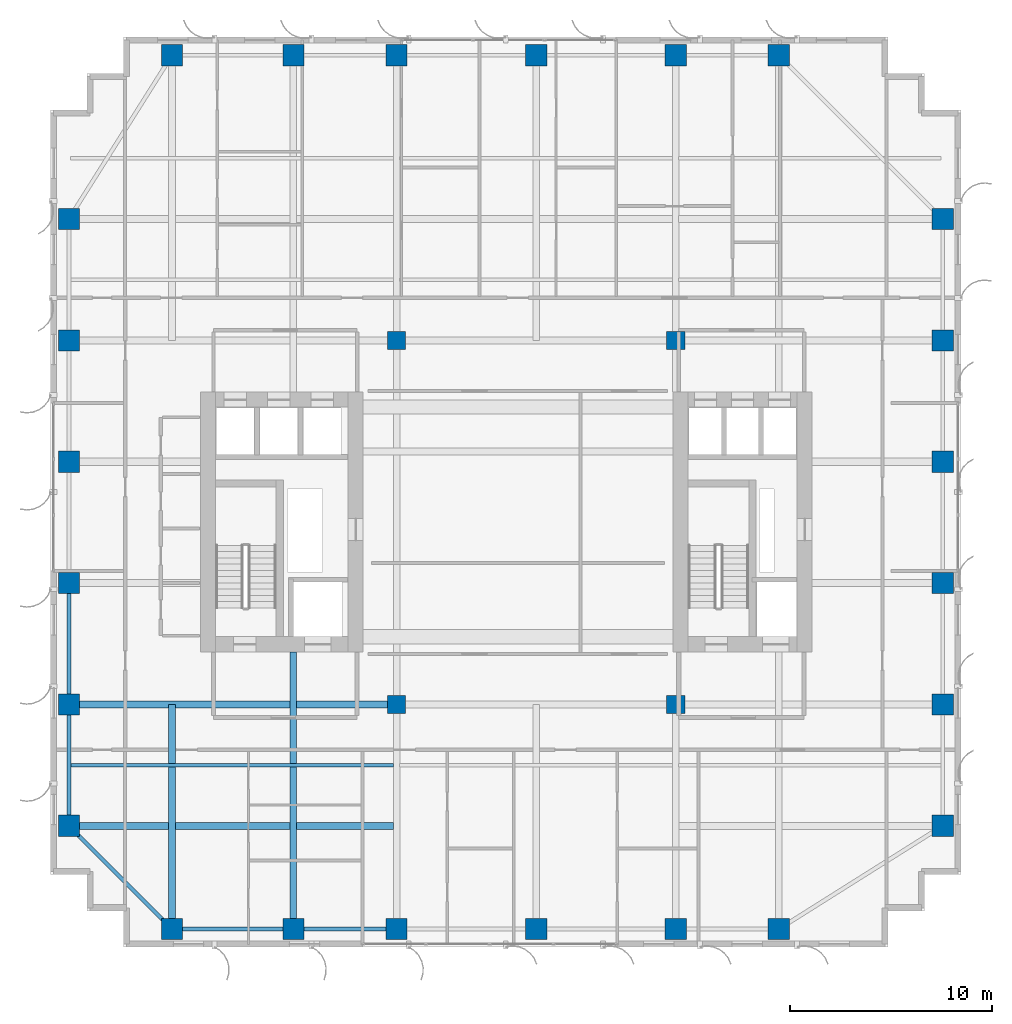
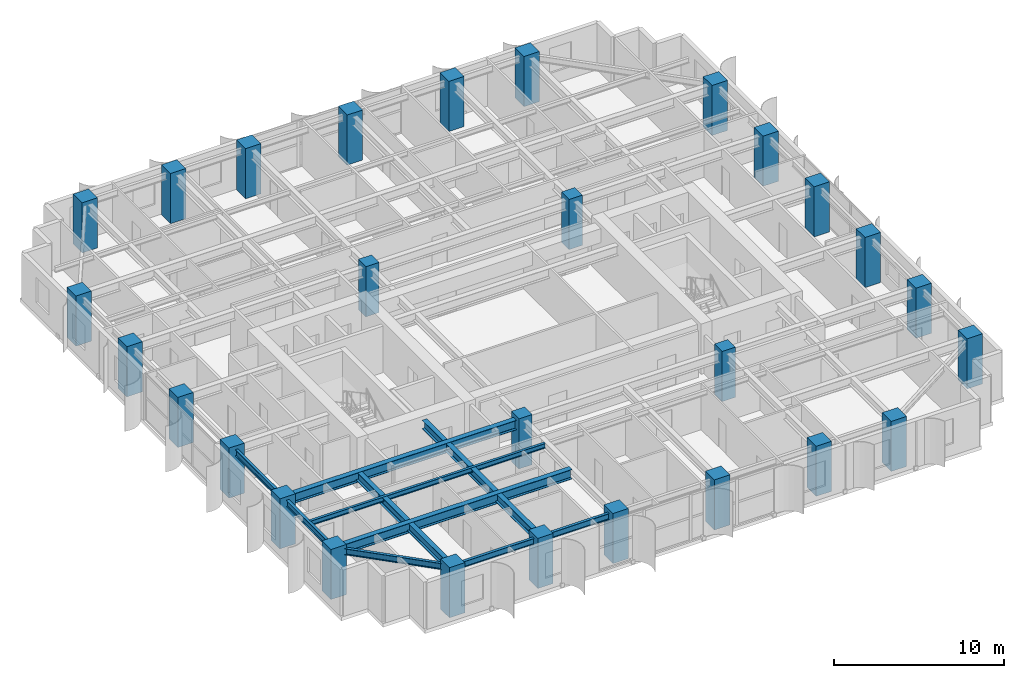
# One storey, part 1 of 19: 28 columns, 10 beams.
"""IFC4 building model written with IfcOpenShell, lengths in metres."""

from ifc_helpers import new_model, si_unit, direction, frame, origin, origin_2d, place, context, subcontext, project, spatial, rectangle, i_section, extrude, source, transform, mapped, material, material_profile, profile_set, type_object, element, save


model = new_model("IFC4")

# Units and contexts
model_context = context("Model", 3, precision=1e-05, world=origin(), true_north=direction((0.0, 1.0)))
body_context = subcontext(model_context, "Body", "Model", "MODEL_VIEW")
ifc_project = project(units=[si_unit("LENGTHUNIT", "METRE"), si_unit("AREAUNIT", "SQUARE_METRE"), si_unit("VOLUMEUNIT", "CUBIC_METRE"), si_unit("PLANEANGLEUNIT", "RADIAN"), si_unit("MASSUNIT", "GRAM", prefix="KILO")], contexts=[model_context])

# Site, building, storey
site_placement = place(None, origin())
site = spatial("IfcSite", under=ifc_project, at=site_placement, CompositionType="ELEMENT")
building_placement = place(site_placement, origin())
building = spatial("IfcBuilding", under=site, at=building_placement, Name="Khoralis Quay Care Tower", CompositionType="ELEMENT")
storey_placement = place(building_placement, frame((0.0, 0.0, 90.89990234375)))
storey = spatial("IfcBuildingStorey", under=building, at=storey_placement, Name="L23", CompositionType="ELEMENT", Elevation=90.89990234375)

# Columns
ifc_material_1 = material(Name="Concrete C65/80", Category="concrete")
ifc_material_profile_1 = material_profile(ifc_material_1, rectangle(XDim=1.050048828125, YDim=1.050048828125, at=origin_2d()), Name="Concrete C65/80")
ifc_profile_set_1 = profile_set([ifc_material_profile_1], Name="Concrete C65/80")
column_type_1 = type_object("IfcColumnType", Name="COL-C1050", PredefinedType="COLUMN", material=ifc_profile_set_1)
shared_shape_1 = source(origin(), body_context, "Body", "SweptSolid", [
    extrude(rectangle(XDim=1.050048828125, YDim=1.050048828125, at=origin_2d()), origin(), (0.0, 0.0, 1.0), 3.60009765625),
])
for number, where, z_axis, x_axis, name in (
    (1, (6.0, 0.89990234375, 0.0), (0.0, 0.0, 1.0), (1.0, 0.0, 0.0), "COL-TWR-L23-01"),
    (2, (6.0, 44.10009765625, 0.0), (0.0, 0.0, 1.0), (1.0, 0.0, 0.0), "COL-TWR-L23-02"),
    (3, (12.0, 0.89990234375, 0.0), (0.0, 0.0, 1.0), (1.0, 0.0, 0.0), "COL-TWR-L23-03"),
    (4, (12.0, 44.10009765625, 0.0), (0.0, 0.0, 1.0), (1.0, 0.0, 0.0), "COL-TWR-L23-04"),
    (5, (17.10009765625, 0.89990234375, 0.0), (0.0, 0.0, 1.0), (1.0, 0.0, 0.0), "COL-TWR-L23-05"),
    (6, (17.10009765625, 44.10009765625, 0.0), (0.0, 0.0, 1.0), (1.0, 0.0, 0.0), "COL-TWR-L23-06"),
    (7, (24.0, 0.89990234375, 0.0), (0.0, 0.0, 1.0), (1.0, 0.0, 0.0), "COL-TWR-L23-07"),
    (8, (24.0, 44.10009765625, 0.0), (0.0, 0.0, 1.0), (1.0, 0.0, 0.0), "COL-TWR-L23-08"),
    (9, (30.89990234375, 0.89990234375, 0.0), (0.0, 0.0, 1.0), (1.0, 0.0, 0.0), "COL-TWR-L23-09"),
    (10, (30.89990234375, 44.10009765625, 0.0), (0.0, 0.0, 1.0), (1.0, 0.0, 0.0), "COL-TWR-L23-10"),
    (11, (36.0, 0.89990234375, 0.0), (0.0, 0.0, 1.0), (1.0, 0.0, 0.0), "COL-TWR-L23-11"),
    (12, (36.0, 44.10009765625, 0.0), (0.0, 0.0, 1.0), (1.0, 0.0, 0.0), "COL-TWR-L23-12"),
    (13, (0.89990234375, 6.0, 0.0), (0.0, 0.0, 1.0), (1.0, 0.0, 0.0), "COL-TWR-L23-13"),
    (14, (44.10009765625, 6.0, 0.0), (0.0, 0.0, 1.0), (1.0, 0.0, 0.0), "COL-TWR-L23-14"),
    (15, (0.89990234375, 12.0, 0.0), (0.0, 0.0, 1.0), (1.0, 0.0, 0.0), "COL-TWR-L23-15"),
    (16, (44.10009765625, 12.0, 0.0), (0.0, 0.0, 1.0), (1.0, 0.0, 0.0), "COL-TWR-L23-16"),
    (17, (0.89990234375, 18.0, 0.0), (0.0, 0.0, 1.0), (1.0, 0.0, 0.0), "COL-TWR-L23-17"),
    (18, (44.10009765625, 18.0, 0.0), (0.0, 0.0, 1.0), (1.0, 0.0, 0.0), "COL-TWR-L23-18"),
    (19, (0.89990234375, 24.0, 0.0), (0.0, 0.0, 1.0), (1.0, 0.0, 0.0), "COL-TWR-L23-19"),
    (20, (44.10009765625, 24.0, 0.0), (0.0, 0.0, 1.0), (1.0, 0.0, 0.0), "COL-TWR-L23-20"),
    (21, (0.89990234375, 30.0, 0.0), (0.0, 0.0, 1.0), (1.0, 0.0, 0.0), "COL-TWR-L23-21"),
    (22, (44.10009765625, 30.0, 0.0), (0.0, 0.0, 1.0), (1.0, 0.0, 0.0), "COL-TWR-L23-22"),
    (23, (0.89990234375, 36.0, 0.0), (0.0, 0.0, 1.0), (1.0, 0.0, 0.0), "COL-TWR-L23-23"),
    (24, (44.10009765625, 36.0, 0.0), (0.0, 0.0, 1.0), (1.0, 0.0, 0.0), "COL-TWR-L23-24"),
):
    element("IfcColumn", number, at=place(storey_placement, frame(where, z_axis=z_axis, x_axis=x_axis)), inside=storey, type_object=column_type_1, Name=name, PredefinedType="COLUMN", context=body_context, shape_type="MappedRepresentation", body=[
        mapped(shared_shape_1, transform((0.0, 0.0, 0.0), scale=1.0)),
    ])
ifc_material_profile_2 = material_profile(ifc_material_1, rectangle(XDim=0.89990234375, YDim=0.89990234375, at=origin_2d()), Name="Concrete C65/80")
ifc_profile_set_2 = profile_set([ifc_material_profile_2], Name="Concrete C65/80")
column_type_2 = type_object("IfcColumnType", Name="COL-C900", PredefinedType="COLUMN", material=ifc_profile_set_2)
shared_shape_2 = source(origin(), body_context, "Body", "SweptSolid", [
    extrude(rectangle(XDim=0.89990234375, YDim=0.89990234375, at=origin_2d()), origin(), (0.0, 0.0, 1.0), 3.60009765625),
])
for number, where, z_axis, x_axis, name in (
    (25, (17.10009765625, 12.0, 0.0), (0.0, 0.0, 1.0), (1.0, 0.0, 0.0), "COL-TWR-L23-25"),
    (26, (17.10009765625, 30.0, 0.0), (0.0, 0.0, 1.0), (1.0, 0.0, 0.0), "COL-TWR-L23-26"),
    (27, (30.89990234375, 12.0, 0.0), (0.0, 0.0, 1.0), (1.0, 0.0, 0.0), "COL-TWR-L23-27"),
    (28, (30.89990234375, 30.0, 0.0), (0.0, 0.0, 1.0), (1.0, 0.0, 0.0), "COL-TWR-L23-28"),
):
    element("IfcColumn", number, at=place(storey_placement, frame(where, z_axis=z_axis, x_axis=x_axis)), inside=storey, type_object=column_type_2, Name=name, PredefinedType="COLUMN", context=body_context, shape_type="MappedRepresentation", body=[
        mapped(shared_shape_2, transform((0.0, 0.0, 0.0), scale=1.0)),
    ])

# Beams
ifc_material_2 = material(Name="Steel S355", Category="steel")
ifc_material_profile_3 = material_profile(ifc_material_2, i_section(OverallWidth=0.18994140625, OverallDepth=0.449951171875, WebThickness=0.009521484375, FlangeThickness=0.0146484375, FilletRadius=0.02099609375, at=origin_2d()), Name="Steel S355")
ifc_profile_set_3 = profile_set([ifc_material_profile_3], Name="Steel S355")
beam_type_1 = type_object("IfcBeamType", Name="BM-IPE450", PredefinedType="SPANDREL", material=ifc_profile_set_3)
shared_shape_3 = source(origin(), body_context, "Body", "SweptSolid", [
    extrude(i_section(OverallWidth=0.18994140625, OverallDepth=0.449951171875, WebThickness=0.009521484375, FlangeThickness=0.0146484375, FilletRadius=0.02099609375, at=origin_2d()), origin(), (0.0, 0.0, 1.0), 6.0),
])
for number, where, z_axis, x_axis, name in (
    (29, (6.0, 0.89990234375, 3.114990234375), (1.0, 0.0, 0.0), (0.0, 1.0, 0.0), "BM-TSP-L23-01"),
    (30, (0.89990234375, 6.0, 3.114990234375), (0.0, 1.0, 0.0), (-1.0, 0.0, 0.0), "BM-TSP-L23-11"),
    (31, (0.89990234375, 12.0, 3.114990234375), (0.0, 1.0, 0.0), (-1.0, 0.0, 0.0), "BM-TSP-L23-12"),
):
    element("IfcBeam", number, at=place(storey_placement, frame(where, z_axis=z_axis, x_axis=x_axis)), inside=storey, type_object=beam_type_1, Name=name, PredefinedType="SPANDREL", context=body_context, shape_type="MappedRepresentation", body=[
        mapped(shared_shape_3, transform((0.0, 0.0, 0.0), scale=1.0)),
    ])
shared_shape_4 = source(origin(), body_context, "Body", "SweptSolid", [
    extrude(i_section(OverallWidth=0.18994140625, OverallDepth=0.449951171875, WebThickness=0.009521484375, FlangeThickness=0.0146484375, FilletRadius=0.02099609375, at=origin_2d()), origin(), (0.0, 0.0, 1.0), 5.10009765625),
])
beam_1_placement = place(storey_placement, frame((12.0, 0.89990234375, 3.114990234375), z_axis=(1.0, 0.0, 0.0), x_axis=(0.0, 1.0, 0.0)))
element("IfcBeam", 32, at=beam_1_placement, inside=storey, type_object=beam_type_1, Name="BM-TSP-L23-02", PredefinedType="SPANDREL", context=body_context, shape_type="MappedRepresentation", body=[
    mapped(shared_shape_4, transform((0.0, 0.0, 0.0), scale=1.0)),
])
shared_shape_5 = source(origin(), body_context, "Body", "SweptSolid", [
    extrude(i_section(OverallWidth=0.18994140625, OverallDepth=0.449951171875, WebThickness=0.009521484375, FlangeThickness=0.0146484375, FilletRadius=0.02099609375, at=origin_2d()), origin(), (0.0, 0.0, 1.0), 7.212646484375),
])
beam_2_placement = place(storey_placement, frame((6.0, 0.89990234375, 3.114990234375), z_axis=(-0.707106781187, 0.707106781187, 0.0), x_axis=(-0.707106781187, -0.707106781187, 0.0)))
element("IfcBeam", 33, at=beam_2_placement, inside=storey, type_object=beam_type_1, Name="BM-TCR-L23-21", PredefinedType="SPANDREL", context=body_context, shape_type="MappedRepresentation", body=[
    mapped(shared_shape_5, transform((0.0, 0.0, 0.0), scale=1.0)),
])
ifc_material_profile_4 = material_profile(ifc_material_2, i_section(OverallWidth=0.35498046875, OverallDepth=0.695068359375, WebThickness=0.015380859375, FlangeThickness=0.02490234375, FilletRadius=0.02001953125, at=origin_2d()), Name="Steel S355")
ifc_profile_set_4 = profile_set([ifc_material_profile_4], Name="Steel S355")
beam_type_2 = type_object("IfcBeamType", Name="BM-W690X217", PredefinedType="BEAM", material=ifc_profile_set_4)
shared_shape_6 = source(origin(), body_context, "Body", "SweptSolid", [
    extrude(i_section(OverallWidth=0.35498046875, OverallDepth=0.695068359375, WebThickness=0.015380859375, FlangeThickness=0.02490234375, FilletRadius=0.02001953125, at=origin_2d()), origin(), (0.0, 0.0, 1.0), 16.049560546875),
])
beam_3_placement = place(storey_placement, frame((0.89990234375, 6.0, 2.99267578125), z_axis=(1.0, 0.0, 0.0), x_axis=(0.0, 1.0, 0.0)))
element("IfcBeam", 34, at=beam_3_placement, inside=storey, type_object=beam_type_2, Name="BM-TGXW-L23-60", PredefinedType="BEAM", context=body_context, shape_type="MappedRepresentation", body=[
    mapped(shared_shape_6, transform((0.0, 0.0, 0.0), scale=1.0)),
])
shared_shape_7 = source(origin(), body_context, "Body", "SweptSolid", [
    extrude(i_section(OverallWidth=0.35498046875, OverallDepth=0.695068359375, WebThickness=0.015380859375, FlangeThickness=0.02490234375, FilletRadius=0.02001953125, at=origin_2d()), origin(), (0.0, 0.0, 1.0), 16.2001953125),
])
beam_4_placement = place(storey_placement, frame((0.89990234375, 12.0, 2.99267578125), z_axis=(1.0, 0.0, 0.0), x_axis=(0.0, 1.0, 0.0)))
element("IfcBeam", 35, at=beam_4_placement, inside=storey, type_object=beam_type_2, Name="BM-TGXW-L23-120", PredefinedType="BEAM", context=body_context, shape_type="MappedRepresentation", body=[
    mapped(shared_shape_7, transform((0.0, 0.0, 0.0), scale=1.0)),
])
ifc_material_profile_5 = material_profile(ifc_material_2, i_section(OverallWidth=0.324951171875, OverallDepth=0.615966796875, WebThickness=0.013916015625, FlangeThickness=0.021484375, FilletRadius=0.01806640625, at=origin_2d()), Name="Steel S355")
ifc_profile_set_5 = profile_set([ifc_material_profile_5], Name="Steel S355")
beam_type_3 = type_object("IfcBeamType", Name="BM-W610X174", PredefinedType="BEAM", material=ifc_profile_set_5)
shared_shape_8 = source(origin(), body_context, "Body", "SweptSolid", [
    extrude(i_section(OverallWidth=0.324951171875, OverallDepth=0.615966796875, WebThickness=0.013916015625, FlangeThickness=0.021484375, FilletRadius=0.01806640625, at=origin_2d()), origin(), (0.0, 0.0, 1.0), 11.10009765625),
])
beam_5_placement = place(storey_placement, frame((6.0, 0.89990234375, 3.031982421875), z_axis=(0.0, 1.0, 0.0), x_axis=(-1.0, 0.0, 0.0)))
element("IfcBeam", 36, at=beam_5_placement, inside=storey, type_object=beam_type_3, Name="BM-TGYS-L23-60", PredefinedType="BEAM", context=body_context, shape_type="MappedRepresentation", body=[
    mapped(shared_shape_8, transform((0.0, 0.0, 0.0), scale=1.0)),
])
ifc_material_profile_6 = material_profile(ifc_material_2, i_section(OverallWidth=0.1708984375, OverallDepth=0.35498046875, WebThickness=0.007080078125, FlangeThickness=0.01171875, FilletRadius=0.012939453125, at=origin_2d()), Name="Steel S355")
ifc_profile_set_6 = profile_set([ifc_material_profile_6], Name="Steel S355")
beam_type_4 = type_object("IfcBeamType", Name="BM-W360X51", PredefinedType="JOIST", material=ifc_profile_set_6)
shared_shape_9 = source(origin(), body_context, "Body", "SweptSolid", [
    extrude(i_section(OverallWidth=0.1708984375, OverallDepth=0.35498046875, WebThickness=0.007080078125, FlangeThickness=0.01171875, FilletRadius=0.012939453125, at=origin_2d()), origin(), (0.0, 0.0, 1.0), 15.968505859375),
])
beam_6_placement = place(storey_placement, frame((0.98095703125, 9.0, 3.16259765625), z_axis=(1.0, 0.0, 0.0), x_axis=(0.0, 1.0, 0.0)))
element("IfcBeam", 37, at=beam_6_placement, inside=storey, type_object=beam_type_4, Name="BM-TJS-L23-25", PredefinedType="JOIST", context=body_context, shape_type="MappedRepresentation", body=[
    mapped(shared_shape_9, transform((0.0, 0.0, 0.0), scale=1.0)),
])
shared_shape_10 = source(origin(), body_context, "Body", "SweptSolid", [
    extrude(i_section(OverallWidth=0.324951171875, OverallDepth=0.615966796875, WebThickness=0.013916015625, FlangeThickness=0.021484375, FilletRadius=0.01806640625, at=origin_2d()), origin(), (0.0, 0.0, 1.0), 13.7021484375),
])
beam_7_placement = place(storey_placement, frame((12.0, 0.89990234375, 3.031982421875), z_axis=(0.0, 1.0, 0.0), x_axis=(-1.0, 0.0, 0.0)))
element("IfcBeam", 38, at=beam_7_placement, inside=storey, type_object=beam_type_3, Name="BM-TGYS-L23-120", PredefinedType="BEAM", context=body_context, shape_type="MappedRepresentation", body=[
    mapped(shared_shape_10, transform((0.0, 0.0, 0.0), scale=1.0)),
])

save(model, "model.ifc")
